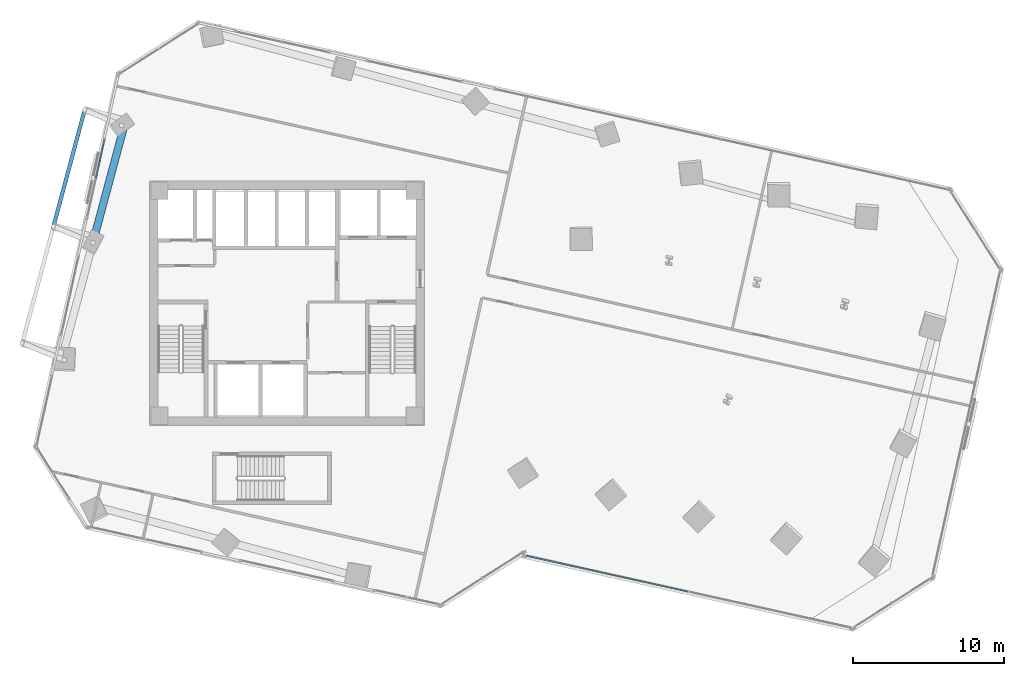
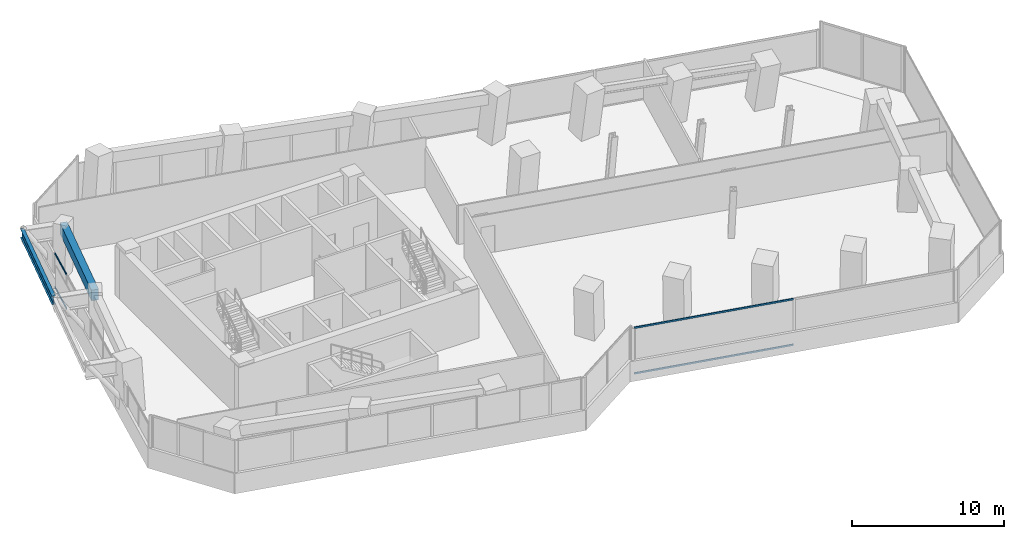
# One storey, part 7 of 26: 4 members, 2 beams, 2 elements without a shape of their own.
"""IFC4 building model written with IfcOpenShell, lengths in metres."""

from ifc_helpers import new_model, si_unit, direction, frame, origin, origin_2d, place, context, subcontext, project, spatial, rectangle, hollow_rectangle, i_section, extrude, source, transform, mapped, material, material_profile, profile_set, type_object, element, aggregate, save


model = new_model("IFC4")

# Units and contexts
model_context = context("Model", 3, precision=1e-05, world=origin(), true_north=direction((0.0, 1.0)))
body_context = subcontext(model_context, "Body", "Model", "MODEL_VIEW")
ifc_project = project(units=[si_unit("LENGTHUNIT", "METRE"), si_unit("AREAUNIT", "SQUARE_METRE"), si_unit("VOLUMEUNIT", "CUBIC_METRE"), si_unit("PLANEANGLEUNIT", "RADIAN"), si_unit("MASSUNIT", "GRAM", prefix="KILO")], contexts=[model_context])

# Site, building, storey
site_placement = place(None, origin())
site = spatial("IfcSite", under=ifc_project, at=site_placement, CompositionType="ELEMENT")
building_placement = place(site_placement, origin())
building = spatial("IfcBuilding", under=site, at=building_placement, Name="Torre Montelarca", CompositionType="ELEMENT")
storey_placement = place(building_placement, frame((0.0, 0.0, 95.800048828125)))
storey = spatial("IfcBuildingStorey", under=building, at=storey_placement, Name="L21", CompositionType="ELEMENT", Elevation=95.800048828125)

# Beams
ifc_material_1 = material(Name="Concrete C55/67", Category="concrete")
ifc_material_profile_1 = material_profile(ifc_material_1, rectangle(XDim=0.5, YDim=0.85009765625, at=origin_2d()), Name="RCB500X850", Category="concrete")
ifc_profile_set_1 = profile_set([ifc_material_profile_1], Name="Concrete C55/67")
beam_type_1 = type_object("IfcBeamType", Name="BM-SP-RC850-EXT", PredefinedType="SPANDREL", material=ifc_profile_set_1)
shared_shape_1 = source(origin(), body_context, "Body", "SweptSolid", [
    extrude(rectangle(XDim=0.5, YDim=0.85009765625, at=origin_2d()), origin(), (0.0, 0.0, 1.0), 8.0),
])
beam_1_placement = place(storey_placement, frame((5.22412109375, 36.361083984375, 3.534912109375), z_axis=(0.258823034556, 0.965924757309, 0.0), x_axis=(-0.965924757309, 0.258823034556, 0.0)))
element("IfcBeam", 1, at=beam_1_placement, inside=storey, type_object=beam_type_1, Name="L21 Grid Girder Y 32.0-40.0 at X=4.7", PredefinedType="SPANDREL", context=body_context, shape_type="MappedRepresentation", body=[
    mapped(shared_shape_1, transform((0.0, 0.0, 0.0), scale=1.0)),
])
ifc_material_2 = material(Name="Steel ASTM A992 Grade 50", Category="steel")
ifc_material_profile_2 = material_profile(ifc_material_2, i_section(OverallWidth=0.256103515625, OverallDepth=0.693115234375, WebThickness=0.014404296875, FlangeThickness=0.023681640625, FilletRadius=0.01806640625, at=origin_2d()), Name="W690X170", Category="steel")
ifc_profile_set_2 = profile_set([ifc_material_profile_2], Name="Steel ASTM A992 Grade 50")
beam_type_2 = type_object("IfcBeamType", Name="BM-G-W690-EXT", PredefinedType="BEAM", material=ifc_profile_set_2)
shared_shape_2 = source(origin(), body_context, "Body", "SweptSolid", [
    extrude(i_section(OverallWidth=0.256103515625, OverallDepth=0.693115234375, WebThickness=0.014404296875, FlangeThickness=0.023681640625, FilletRadius=0.01806640625, at=origin_2d()), origin(), (0.0, 0.0, 1.0), 8.000244140625),
])
beam_2_placement = place(storey_placement, frame((2.51953125, 37.085693359375, 3.614013671875), z_axis=(0.258815405168, 0.965926801599, 0.0), x_axis=(-0.965926801599, 0.258815405168, 0.0)))
element("IfcBeam", 2, at=beam_2_placement, inside=storey, type_object=beam_type_2, Name="L21 Sliding Tray Edge Girder West 32.0-40.0m (FLR)", PredefinedType="BEAM", context=body_context, shape_type="MappedRepresentation", body=[
    mapped(shared_shape_2, transform((0.0, 0.0, 0.0), scale=1.0)),
])

# Curtain wall, members
ifc_material_3 = material(Name="Insulated low-E laminated glass", Category="glass")
curtain_wall_type = type_object("IfcCurtainWallType", Name="CW-SYS-Z1", PredefinedType="USERDEFINED", material=ifc_material_3)
curtain_wall_1_placement = place(storey_placement, origin())
curtain_wall_1 = element("IfcCurtainWall", 3, at=curtain_wall_1_placement, inside=storey, type_object=curtain_wall_type, Name="L21 Curtain Wall Run CW-T3-L21-E04-B1", ObjectType="UNITISED GLAZING", PredefinedType="USERDEFINED")
ifc_material_4 = material(Name="Anodised aluminium AA 6063-T6", Category="aluminium")
ifc_material_profile_3 = material_profile(ifc_material_4, hollow_rectangle(XDim=0.06494140625, YDim=0.139892578125, WallThickness=0.00390625, InnerFilletRadius=0.00390625, OuterFilletRadius=0.008056640625, at=origin_2d()), Name="ALU65X140X4", Category="aluminium")
ifc_profile_set_3 = profile_set([ifc_material_profile_3], Name="Anodised aluminium AA 6063-T6")
member_type = type_object("IfcMemberType", Name="CWT-ALU140", PredefinedType="USERDEFINED", material=ifc_profile_set_3)
shared_shape_3 = source(origin(), body_context, "Body", "SweptSolid", [
    extrude(hollow_rectangle(XDim=0.06494140625, YDim=0.139892578125, WallThickness=0.00390625, InnerFilletRadius=0.00390625, OuterFilletRadius=0.008056640625, at=origin_2d()), origin(), (0.0, 0.0, 1.0), 10.948486328125),
])
member_1_placement = place(storey_placement, frame((33.8759765625, 15.25439453125, 0.032470703125), z_axis=(0.976297117817, -0.216434603845, 0.0), x_axis=(0.216434603845, 0.976297117817, 0.0)))
member_1 = element("IfcMember", 4, at=member_1_placement, type_object=member_type, Name="CW transom 1.1", ObjectType="TRANSOM", PredefinedType="USERDEFINED", context=body_context, shape_type="MappedRepresentation", body=[
    mapped(shared_shape_3, transform((0.0, 0.0, 0.0), scale=1.0)),
])
member_2_placement = place(storey_placement, frame((33.8759765625, 15.25439453125, 3.6875), z_axis=(0.976297117817, -0.216434603845, 0.0), x_axis=(0.216434603845, 0.976297117817, 0.0)))
member_2 = element("IfcMember", 5, at=member_2_placement, type_object=member_type, Name="CW transom 1.2", ObjectType="TRANSOM", PredefinedType="USERDEFINED", context=body_context, shape_type="MappedRepresentation", body=[
    mapped(shared_shape_3, transform((0.0, 0.0, 0.0), scale=1.0)),
])
aggregate(curtain_wall_1, [member_1, member_2])

curtain_wall_2_placement = place(storey_placement, origin())
curtain_wall_2 = element("IfcCurtainWall", 6, at=curtain_wall_2_placement, inside=storey, type_object=curtain_wall_type, Name="L21 Curtain Wall Run CW-T3-L21-E10-B1", ObjectType="UNITISED GLAZING", PredefinedType="USERDEFINED")
shared_shape_4 = source(origin(), body_context, "Body", "SweptSolid", [
    extrude(hollow_rectangle(XDim=0.06494140625, YDim=0.139892578125, WallThickness=0.00390625, InnerFilletRadius=0.00390625, OuterFilletRadius=0.008056640625, at=origin_2d()), origin(), (0.0, 0.0, 1.0), 2.587646484375),
])
member_3_placement = place(storey_placement, frame((5.8984375, 42.803466796875, 0.032470703125), z_axis=(-0.216430947774, -0.976297928322, 0.0), x_axis=(0.976297928322, -0.216430947774, 0.0)))
member_3 = element("IfcMember", 7, at=member_3_placement, type_object=member_type, Name="CW transom 1.1", ObjectType="TRANSOM", PredefinedType="USERDEFINED", context=body_context, shape_type="MappedRepresentation", body=[
    mapped(shared_shape_4, transform((0.0, 0.0, 0.0), scale=1.0)),
])
member_4_placement = place(storey_placement, frame((5.8984375, 42.803466796875, 2.742431640625), z_axis=(-0.216430947774, -0.976297928322, 0.0), x_axis=(0.976297928322, -0.216430947774, 0.0)))
member_4 = element("IfcMember", 8, at=member_4_placement, type_object=member_type, Name="CW transom 1.2", ObjectType="TRANSOM", PredefinedType="USERDEFINED", context=body_context, shape_type="MappedRepresentation", body=[
    mapped(shared_shape_4, transform((0.0, 0.0, 0.0), scale=1.0)),
])
aggregate(curtain_wall_2, [member_3, member_4])

save(model, "model.ifc")
